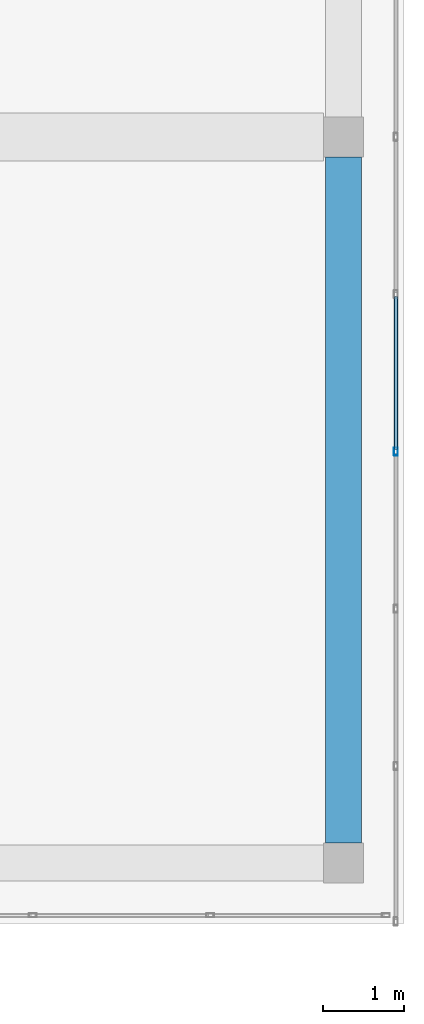
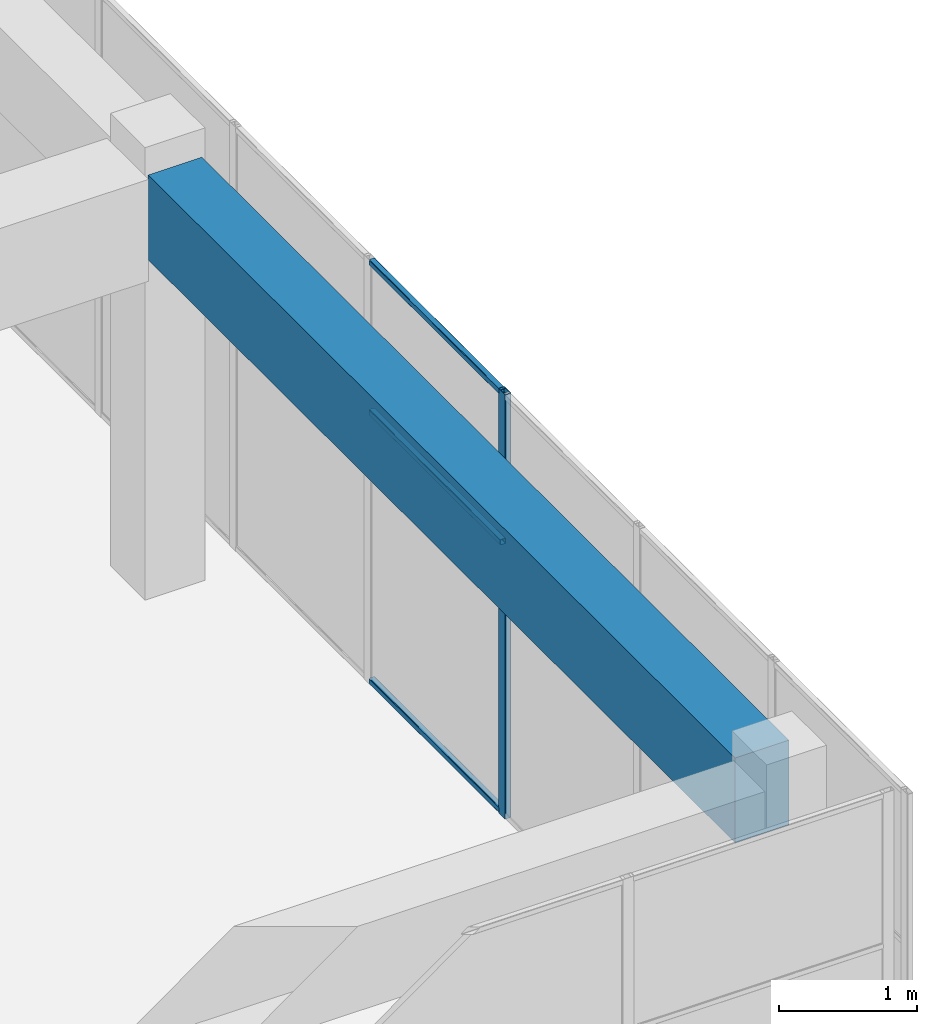
# One storey, part 16 of 34: 4 members, 1 beam, 1 element without a shape of its own.
"""IFC4 building model written with IfcOpenShell, lengths in metres."""

from ifc_helpers import new_model, si_unit, direction, frame, origin, origin_2d, place, context, subcontext, project, spatial, rectangle, hollow_rectangle, extrude, material, layer, layer_set, material_profile, profile_set, type_object, element, aggregate, save


model = new_model("IFC4")

# Units and contexts
model_context = context("Model", 3, precision=1e-05, world=origin(), true_north=direction((0.0, 1.0)))
body_context = subcontext(model_context, "Body", "Model", "MODEL_VIEW")
ifc_project = project(units=[si_unit("LENGTHUNIT", "METRE"), si_unit("AREAUNIT", "SQUARE_METRE"), si_unit("VOLUMEUNIT", "CUBIC_METRE"), si_unit("PLANEANGLEUNIT", "RADIAN"), si_unit("MASSUNIT", "GRAM", prefix="KILO")], contexts=[model_context])

# Site, building, storey
site_placement = place(None, origin())
site = spatial("IfcSite", under=ifc_project, at=site_placement, CompositionType="ELEMENT")
building_placement = place(site_placement, origin())
building = spatial("IfcBuilding", under=site, at=building_placement, Name="Tuart Plaza Theatre", CompositionType="ELEMENT")
storey_placement = place(building_placement, frame((0.0, 0.0, 57.5)))
storey = spatial("IfcBuildingStorey", under=building, at=storey_placement, Name="L14", CompositionType="ELEMENT", Elevation=57.5)

# Beam
ifc_material_1 = material(Name="Concrete N40 (40 MPa)", Category="concrete")
ifc_material_profile_1 = material_profile(ifc_material_1, rectangle(XDim=0.449951171875, YDim=0.75, at=origin_2d()), Name="BEAM 450x750 Concrete N40 (40 MPa)")
ifc_profile_set_1 = profile_set([ifc_material_profile_1], Name="Concrete N40 (40 MPa)")
beam_type = type_object("IfcBeamType", Name="BEAM 450x750 Concrete N40 (40 MPa)", PredefinedType="BEAM", material=ifc_profile_set_1)
beam_placement = place(storey_placement, frame((150.0, 65.25, 3.375), z_axis=(0.0, 1.0, 0.0), x_axis=(-1.0, 0.0, 0.0)))
element("IfcBeam", 1, at=beam_placement, inside=storey, type_object=beam_type, Name="RB345", PredefinedType="BEAM", context=body_context, shape_type="SweptSolid", body=[
    extrude(rectangle(XDim=0.449951171875, YDim=0.75, at=origin_2d()), origin(), (0.0, 0.0, 1.0), 8.5),
])

# Curtain wall, members
ifc_material_2 = material(Name="Aluminium and glass", Category="aluminium")
ifc_layer = layer(ifc_material_2, 0.10009765625)
ifc_layer_set = layer_set([ifc_layer], Name="CURTAIN WALL 2000 module")
curtain_wall_type = type_object("IfcCurtainWallType", Name="CURTAIN WALL 2000 module", PredefinedType="NOTDEFINED", material=ifc_layer_set)
curtain_wall_placement = place(storey_placement, origin())
curtain_wall = element("IfcCurtainWall", 2, at=curtain_wall_placement, inside=storey, type_object=curtain_wall_type, Name="CW114", PredefinedType="NOTDEFINED")
ifc_material_3 = material(Name="Aluminium 6063-T5", Category="aluminium")
ifc_material_profile_2 = material_profile(ifc_material_3, hollow_rectangle(XDim=0.050048828125, YDim=0.10009765625, WallThickness=0.00390625, InnerFilletRadius=0.00390625, OuterFilletRadius=0.008056640625, at=origin_2d()), Name="RHS 100x50x4")
ifc_profile_set_2 = profile_set([ifc_material_profile_2], Name="Aluminium 6063-T5")
member_type_1 = type_object("IfcMemberType", Name="MULLION RHS 100x50x4", PredefinedType="MULLION", material=ifc_profile_set_2)
member_1_placement = place(storey_placement, frame((150.64990234375, 70.10009765625, 0.0), z_axis=(0.0, 0.0, 1.0), x_axis=(-1.0, 0.0, 0.0)))
member_1 = element("IfcMember", 3, at=member_1_placement, type_object=member_type_1, Name="CW114 mullion 4", PredefinedType="MULLION", context=body_context, shape_type="SweptSolid", body=[
    extrude(hollow_rectangle(XDim=0.050048828125, YDim=0.10009765625, WallThickness=0.00390625, InnerFilletRadius=0.00390625, OuterFilletRadius=0.008056640625, at=origin_2d()), origin(), (0.0, 0.0, 1.0), 3.75),
])
ifc_material_4 = material(Name="Aluminium 6063-T5", Category="aluminium")
ifc_material_profile_3 = material_profile(ifc_material_4, hollow_rectangle(XDim=0.050048828125, YDim=0.050048828125, WallThickness=0.00390625, InnerFilletRadius=0.00390625, OuterFilletRadius=0.008056640625, at=origin_2d()), Name="RHS 50x50x4")
ifc_profile_set_3 = profile_set([ifc_material_profile_3], Name="Aluminium 6063-T5")
member_type_2 = type_object("IfcMemberType", Name="TRANSOM RHS 50x50x4", PredefinedType="USERDEFINED", material=ifc_profile_set_3)
member_2_placement = place(storey_placement, frame((150.64990234375, 70.125, 0.02490234375), z_axis=(0.0, 1.0, 0.0), x_axis=(-1.0, 0.0, 0.0)))
member_2 = element("IfcMember", 4, at=member_2_placement, type_object=member_type_2, Name="CW114 transom 4.1", ObjectType="TRANSOM", PredefinedType="USERDEFINED", context=body_context, shape_type="SweptSolid", body=[
    extrude(hollow_rectangle(XDim=0.050048828125, YDim=0.050048828125, WallThickness=0.00390625, InnerFilletRadius=0.00390625, OuterFilletRadius=0.008056640625, at=origin_2d()), origin(), (0.0, 0.0, 1.0), 1.89990234375),
])
member_3_placement = place(storey_placement, frame((150.64990234375, 70.125, 2.39990234375), z_axis=(0.0, 1.0, 0.0), x_axis=(-1.0, 0.0, 0.0)))
member_3 = element("IfcMember", 5, at=member_3_placement, type_object=member_type_2, Name="CW114 transom 4.2", ObjectType="TRANSOM", PredefinedType="USERDEFINED", context=body_context, shape_type="SweptSolid", body=[
    extrude(hollow_rectangle(XDim=0.050048828125, YDim=0.050048828125, WallThickness=0.00390625, InnerFilletRadius=0.00390625, OuterFilletRadius=0.008056640625, at=origin_2d()), origin(), (0.0, 0.0, 1.0), 1.89990234375),
])
member_4_placement = place(storey_placement, frame((150.64990234375, 70.125, 3.72509765625), z_axis=(0.0, 1.0, 0.0), x_axis=(-1.0, 0.0, 0.0)))
member_4 = element("IfcMember", 6, at=member_4_placement, type_object=member_type_2, Name="CW114 transom 4.3", ObjectType="TRANSOM", PredefinedType="USERDEFINED", context=body_context, shape_type="SweptSolid", body=[
    extrude(hollow_rectangle(XDim=0.050048828125, YDim=0.050048828125, WallThickness=0.00390625, InnerFilletRadius=0.00390625, OuterFilletRadius=0.008056640625, at=origin_2d()), origin(), (0.0, 0.0, 1.0), 1.89990234375),
])
aggregate(curtain_wall, [member_1, member_2, member_3, member_4])

save(model, "model.ifc")
